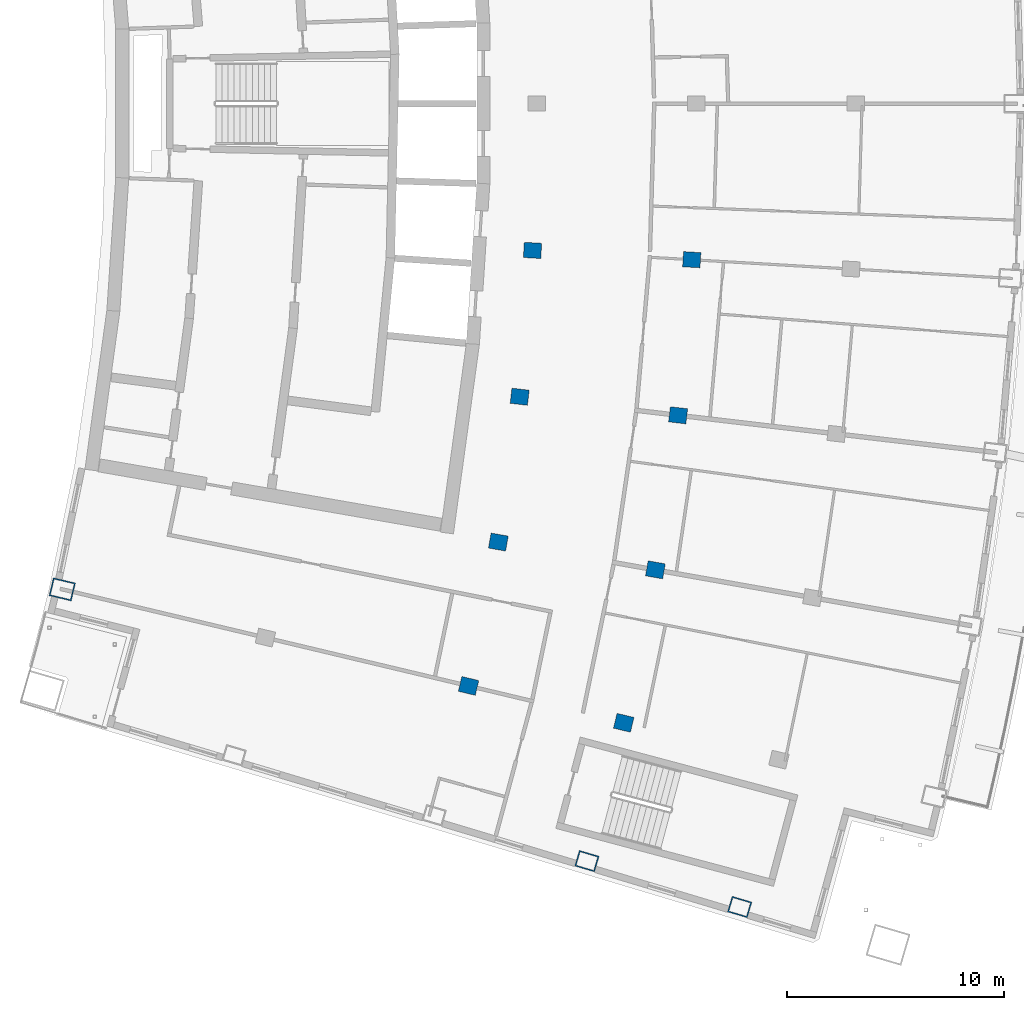
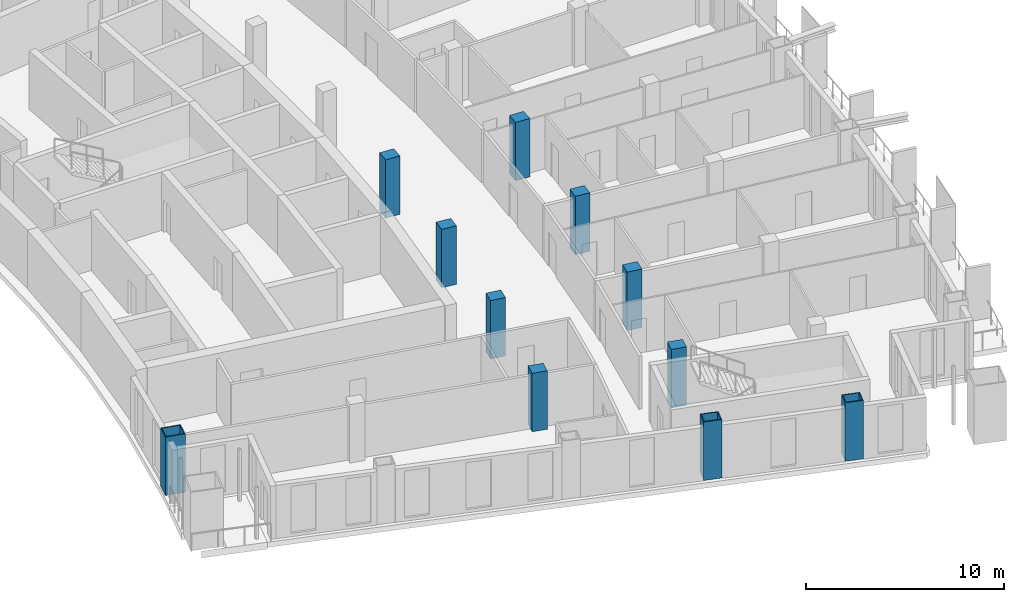
# One storey, part 2 of 17: 11 columns.
"""IFC4 building model written with IfcOpenShell, lengths in metres."""

from ifc_helpers import new_model, si_unit, direction, frame, origin, origin_2d, place, context, subcontext, project, spatial, rectangle, hollow_rectangle, extrude, material, material_profile, profile_set, type_object, element, save


model = new_model("IFC4")

# Units and contexts
model_context = context("Model", 3, precision=1e-05, world=origin(), true_north=direction((0.0, 1.0)))
body_context = subcontext(model_context, "Body", "Model", "MODEL_VIEW")
ifc_project = project(units=[si_unit("LENGTHUNIT", "METRE"), si_unit("AREAUNIT", "SQUARE_METRE"), si_unit("VOLUMEUNIT", "CUBIC_METRE"), si_unit("PLANEANGLEUNIT", "RADIAN"), si_unit("MASSUNIT", "GRAM", prefix="KILO")], contexts=[model_context])

# Site, building, storey
site_placement = place(None, origin())
site = spatial("IfcSite", under=ifc_project, at=site_placement, CompositionType="ELEMENT")
building_placement = place(site_placement, origin())
building = spatial("IfcBuilding", under=site, at=building_placement, Name="Alderwake Tower", CompositionType="ELEMENT")
storey_placement = place(building_placement, frame((0.0, 0.0, 214.39990234375)))
storey = spatial("IfcBuildingStorey", under=building, at=storey_placement, Name="L53", CompositionType="ELEMENT", Elevation=214.39990234375)

# Columns
ifc_material_1 = material(Name="Steel ASTM A572 Grade 50 concrete filled C70/85", Category="concrete")
ifc_material_profile_1 = material_profile(ifc_material_1, hollow_rectangle(XDim=0.75, YDim=0.949951171875, WallThickness=0.054931640625, at=origin_2d()), Name="BOX 950X750X55")
ifc_profile_set_1 = profile_set([ifc_material_profile_1], Name="Steel ASTM A572 Grade 50 concrete filled C70/85")
column_type_1 = type_object("IfcColumnType", Name="End column Z4", PredefinedType="COLUMN", material=ifc_profile_set_1)
for number, where, z_axis, x_axis, name in (
    (1, (38.10400390625, 26.168212890625, 0.0), (0.0, 0.0, 1.0), (0.28287886882, 0.959155641997, 0.0), "Column R02-C3"),
    (2, (45.127685546875, 24.0595703125, 0.0), (0.0, 0.0, 1.0), (0.283141682853, 0.959078092457, 0.0), "Column R02-C4"),
):
    element("IfcColumn", number, at=place(storey_placement, frame(where, z_axis=z_axis, x_axis=x_axis)), inside=storey, type_object=column_type_1, Name=name, PredefinedType="COLUMN", context=body_context, shape_type="SweptSolid", body=[
        extrude(hollow_rectangle(XDim=0.75, YDim=0.949951171875, WallThickness=0.054931640625, at=origin_2d()), origin(), (0.0, 0.0, 1.0), 3.60009765625),
    ])
ifc_material_2 = material(Name="Concrete C70/85", Category="concrete")
ifc_material_profile_2 = material_profile(ifc_material_2, rectangle(XDim=0.699951171875, YDim=0.800048828125, at=origin_2d()), Name="RC 800X700")
ifc_profile_set_2 = profile_set([ifc_material_profile_2], Name="Concrete C70/85")
column_type_2 = type_object("IfcColumnType", Name="Interior column Z4", PredefinedType="COLUMN", material=ifc_profile_set_2)
for number, where, z_axis, x_axis, name in (
    (3, (32.661865234375, 34.224609375, 0.0), (0.0, 0.0, 1.0), (0.231221547198, 0.972901123502, 0.0), "Column R03-C2"),
    (4, (39.79638671875, 32.52880859375, 0.0), (0.0, 0.0, 1.0), (0.231221547198, 0.972901123502, 0.0), "Column R03-C3"),
    (5, (34.03125, 40.83837890625, 0.0), (0.0, 0.0, 1.0), (0.174108800747, 0.984726421654, 0.0), "Column R04-C2"),
    (6, (41.252685546875, 39.5615234375, 0.0), (0.0, 0.0, 1.0), (0.174108800747, 0.984726421654, 0.0), "Column R04-C3"),
    (7, (35.0126953125, 47.5205078125, 0.0), (0.0, 0.0, 1.0), (0.116402054316, 0.993202175668, 0.0), "Column R05-C2"),
    (8, (42.29638671875, 46.6669921875, 0.0), (0.0, 0.0, 1.0), (0.116402054316, 0.993202175668, 0.0), "Column R05-C3"),
    (9, (35.60302734375, 54.248779296875, 0.0), (0.0, 0.0, 1.0), (0.058301061284, 0.998299046505, 0.0), "Column R06-C2"),
    (10, (42.923828125, 53.8212890625, 0.0), (0.0, 0.0, 1.0), (0.058301061284, 0.998299046505, 0.0), "Column R06-C3"),
):
    element("IfcColumn", number, at=place(storey_placement, frame(where, z_axis=z_axis, x_axis=x_axis)), inside=storey, type_object=column_type_2, Name=name, PredefinedType="COLUMN", context=body_context, shape_type="SweptSolid", body=[
        extrude(rectangle(XDim=0.699951171875, YDim=0.800048828125, at=origin_2d()), origin(), (0.0, 0.0, 1.0), 3.60009765625),
    ])
ifc_material_3 = material(Name="Steel ASTM A572 Grade 50 concrete filled C70/85", Category="concrete")
ifc_material_profile_3 = material_profile(ifc_material_3, hollow_rectangle(XDim=0.85009765625, YDim=1.050048828125, WallThickness=0.054931640625, at=origin_2d()), Name="BOX 1050X850X55")
ifc_profile_set_3 = profile_set([ifc_material_profile_3], Name="Steel ASTM A572 Grade 50 concrete filled C70/85")
column_type_3 = type_object("IfcColumnType", Name="Perimeter column Z4", PredefinedType="COLUMN", material=ifc_profile_set_3)
column_placement = place(storey_placement, frame((13.982177734375, 38.6640625, 0.0), z_axis=(0.0, 0.0, 1.0), x_axis=(0.231221547198, 0.972901123502, 0.0)))
element("IfcColumn", 11, at=column_placement, inside=storey, type_object=column_type_3, Name="Column R03-C0", PredefinedType="COLUMN", context=body_context, shape_type="SweptSolid", body=[
    extrude(hollow_rectangle(XDim=0.85009765625, YDim=1.050048828125, WallThickness=0.054931640625, at=origin_2d()), origin(), (0.0, 0.0, 1.0), 3.60009765625),
])

save(model, "model.ifc")
